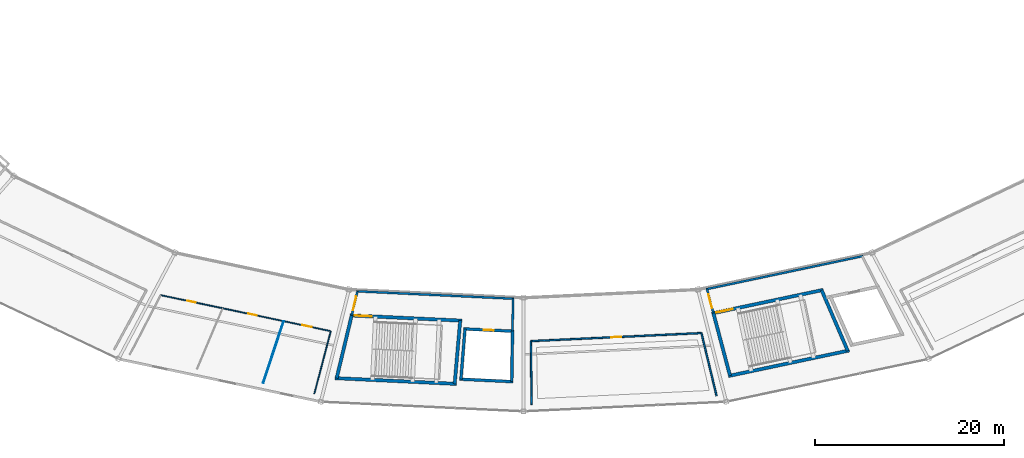
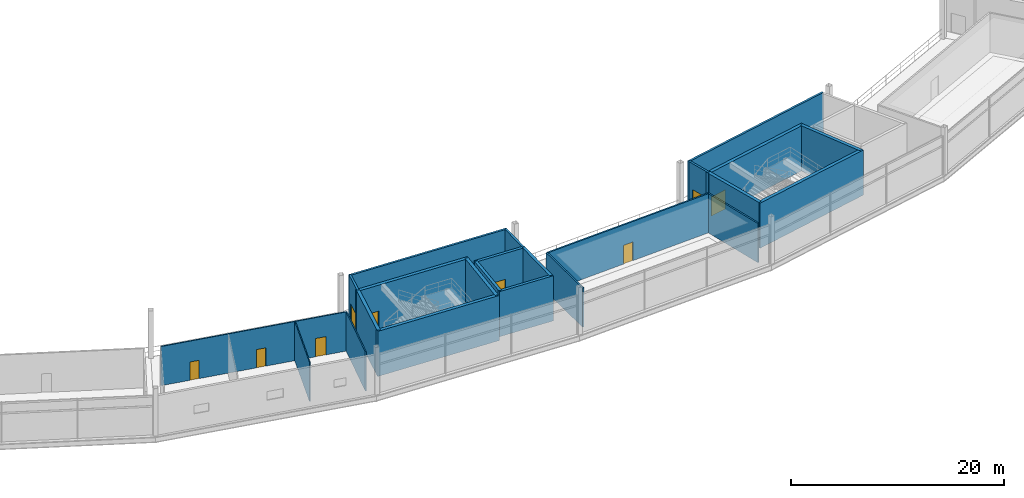
# One storey, part 73 of 103: 23 walls, 9 doors, 9 openings.
"""IFC4 building model written with IfcOpenShell, lengths in metres."""

from ifc_helpers import new_model, si_unit, direction, frame, frame_2d, origin, place, context, subcontext, project, spatial, rectangle, extrude, material, layer, layer_set, type_object, element, fill, save


model = new_model("IFC4")

# Units and contexts
model_context = context("Model", 3, precision=1e-05, world=origin(), true_north=direction((0.0, 1.0)))
body_context = subcontext(model_context, "Body", "Model", "MODEL_VIEW")
ifc_project = project(units=[si_unit("LENGTHUNIT", "METRE"), si_unit("AREAUNIT", "SQUARE_METRE"), si_unit("VOLUMEUNIT", "CUBIC_METRE"), si_unit("PLANEANGLEUNIT", "RADIAN"), si_unit("MASSUNIT", "GRAM", prefix="KILO")], contexts=[model_context])

# Site, building, storey
site_placement = place(None, origin())
site = spatial("IfcSite", under=ifc_project, at=site_placement, CompositionType="ELEMENT")
building_placement = place(site_placement, origin())
building = spatial("IfcBuilding", under=site, at=building_placement, Name="Kazemori Nagisa Stadium", CompositionType="ELEMENT")
storey_placement = place(building_placement, frame((0.0, 0.0, 25.840087890625)))
storey = spatial("IfcBuildingStorey", under=building, at=storey_placement, Name="L05", CompositionType="ELEMENT", Elevation=25.840087890625)

# Wall, opening, door
ifc_material_1 = material(Name="Concrete C40/50 (Fc42)", Category="concrete")
ifc_layer_1 = layer(ifc_material_1, 0.35009765625, Name="Concrete C40/50 (Fc42)", Category="concrete")
ifc_layer_set_1 = layer_set([ifc_layer_1], Name="Concrete C40/50 (Fc42)")
wall_type_1 = type_object("IfcWallType", Name="Wall_W-CORE-350", PredefinedType="SHEAR", material=ifc_layer_set_1)
wall_1_placement = place(storey_placement, frame((104.66748046875, 26.15478515625, 0.0), z_axis=(0.0, 0.0, 1.0), x_axis=(0.998883770468, -0.04723571843, 0.0)))
wall_1 = element("IfcWall", 1, at=wall_1_placement, inside=storey, type_object=wall_type_1, Name="Core stair front shear wall ST12 L05", PredefinedType="SHEAR", context=body_context, shape_type="SweptSolid", body=[
    extrude(rectangle(XDim=11.830810546875, YDim=0.35009765625, at=frame_2d((5.91552734375, 0.0))), origin(), (0.0, 0.0, 1.0), 5.179931640625),
])
opening_1_placement = place(wall_1_placement, frame((0.47509765625, 0.0, 0.0)))
opening_1 = element("IfcOpeningElement", 2, at=opening_1_placement, cuts=wall_1, Name="Opening D-ST-1800", PredefinedType="OPENING", context=body_context, shape_type="SweptSolid", body=[
    extrude(rectangle(XDim=1.800048828125, YDim=2.199951171875, at=frame_2d((0.89990234375, 1.10009765625))), frame((0.0, 0.18505859375, 0.0), z_axis=(0.0, -1.0, 0.0), x_axis=(1.0, 0.0, 0.0)), (0.0, 0.0, 1.0), 0.3701171875),
])
ifc_material_2 = material(Name="Galvanised steel sheet", Category="steel")
door_type_1 = type_object("IfcDoorType", Name="Door_D-ST-1800", OperationType="NOTDEFINED", PredefinedType="DOOR", material=ifc_material_2)
door_1_placement = place(opening_1_placement, frame((1.800048828125, 0.0, 0.0), z_axis=(0.0, 0.0, 1.0), x_axis=(-1.0, 0.0, 0.0)))
door_1 = element("IfcDoor", 3, at=door_1_placement, inside=storey, type_object=door_type_1, Name="Exit stair fire door ST12-L05", OperationType="SINGLE_SWING_RIGHT", OverallHeight=2.199951171875, OverallWidth=1.800048828125, PredefinedType="DOOR", context=body_context, shape_type="SweptSolid", body=[
    extrude(rectangle(XDim=1.800048828125, YDim=2.199951171875, at=frame_2d((0.89990234375, 1.10009765625))), frame((0.0, 0.02490234375, 0.0), z_axis=(0.0, -1.0, 0.0), x_axis=(1.0, 0.0, 0.0)), (0.0, 0.0, 1.0), 0.050048828125),
])
fill(opening_1, door_1)

# Walls
wall_2_placement = place(storey_placement, frame((103.07958984375, 19.52197265625, 0.0), z_axis=(0.0, 0.0, 1.0), x_axis=(0.998884004857, -0.047230761603, 0.0)))
element("IfcWall", 4, at=wall_2_placement, inside=storey, type_object=wall_type_1, Name="Core stair rear shear wall ST12 L05", PredefinedType="SHEAR", context=body_context, shape_type="SweptSolid", body=[
    extrude(rectangle(XDim=12.8349609375, YDim=0.35009765625, at=frame_2d((6.41748046875, 0.0))), origin(), (0.0, 0.0, 1.0), 5.179931640625),
])
wall_3_placement = place(storey_placement, frame((104.84228515625, 26.146484375, 0.0), z_axis=(0.0, 0.0, 1.0), x_axis=(-0.232820532896, -0.972519716747, 0.0)))
element("IfcWall", 5, at=wall_3_placement, inside=storey, type_object=wall_type_1, Name="Core stair left shear wall ST12 L05", PredefinedType="SHEAR", context=body_context, shape_type="SweptSolid", body=[
    extrude(rectangle(XDim=6.8203125, YDim=0.35009765625, at=frame_2d((3.41015625, 0.0))), origin(), (0.0, 0.0, 1.0), 5.179931640625),
])
wall_4_placement = place(storey_placement, frame((116.310302734375, 25.604248046875, 0.0), z_axis=(0.0, 0.0, 1.0), x_axis=(-0.087232889326, -0.996187945631, 0.0)))
element("IfcWall", 6, at=wall_4_placement, inside=storey, type_object=wall_type_1, Name="Core stair right shear wall ST12 L05", PredefinedType="SHEAR", context=body_context, shape_type="SweptSolid", body=[
    extrude(rectangle(XDim=6.705810546875, YDim=0.35009765625, at=frame_2d((3.35302734375, 0.0))), origin(), (0.0, 0.0, 1.0), 5.179931640625),
])

# Wall, opening, door
wall_5_placement = place(storey_placement, frame((142.895751953125, 26.357177734375, 0.0), z_axis=(0.0, 0.0, 1.0), x_axis=(0.978345203961, 0.206979858648, 0.0)))
wall_5 = element("IfcWall", 7, at=wall_5_placement, inside=storey, type_object=wall_type_1, Name="Core stair front shear wall ST06 L05", PredefinedType="SHEAR", context=body_context, shape_type="SweptSolid", body=[
    extrude(rectangle(XDim=12.044189453125, YDim=0.35009765625, at=frame_2d((6.02197265625, 0.0))), origin(), (0.0, 0.0, 1.0), 5.179931640625),
])
opening_2_placement = place(wall_5_placement, frame((0.47509765625, 0.0, 0.0)))
opening_2 = element("IfcOpeningElement", 8, at=opening_2_placement, cuts=wall_5, Name="Opening D-ST-1800", PredefinedType="OPENING", context=body_context, shape_type="SweptSolid", body=[
    extrude(rectangle(XDim=1.800048828125, YDim=2.199951171875, at=frame_2d((0.89990234375, 1.10009765625))), frame((0.0, 0.18505859375, 0.0), z_axis=(0.0, -1.0, 0.0), x_axis=(1.0, 0.0, 0.0)), (0.0, 0.0, 1.0), 0.3701171875),
])
door_2_placement = place(opening_2_placement, frame((1.800048828125, 0.0, 0.0), z_axis=(0.0, 0.0, 1.0), x_axis=(-1.0, 0.0, 0.0)))
door_2 = element("IfcDoor", 9, at=door_2_placement, inside=storey, type_object=door_type_1, Name="Exit stair fire door ST06-L05", OperationType="SINGLE_SWING_RIGHT", OverallHeight=2.199951171875, OverallWidth=1.800048828125, PredefinedType="DOOR", context=body_context, shape_type="SweptSolid", body=[
    extrude(rectangle(XDim=1.800048828125, YDim=2.199951171875, at=frame_2d((0.89990234375, 1.10009765625))), frame((0.0, 0.02490234375, 0.0), z_axis=(0.0, -1.0, 0.0), x_axis=(1.0, 0.0, 0.0)), (0.0, 0.0, 1.0), 0.050048828125),
])
fill(opening_2, door_2)

# Walls
wall_6_placement = place(storey_placement, frame((144.650390625, 19.745849609375, 0.0), z_axis=(0.0, 0.0, 1.0), x_axis=(0.978345119536, 0.206980257705, 0.0)))
element("IfcWall", 10, at=wall_6_placement, inside=storey, type_object=wall_type_1, Name="Core stair rear shear wall ST06 L05", PredefinedType="SHEAR", context=body_context, shape_type="SweptSolid", body=[
    extrude(rectangle(XDim=13.06689453125, YDim=0.35009765625, at=frame_2d((6.533447265625, 0.0))), origin(), (0.0, 0.0, 1.0), 5.179931640625),
])
wall_7_placement = place(storey_placement, frame((143.06689453125, 26.3935546875, 0.0), z_axis=(0.0, 0.0, 1.0), x_axis=(0.256518400663, -0.966539347425, 0.0)))
element("IfcWall", 11, at=wall_7_placement, inside=storey, type_object=wall_type_1, Name="Core stair left shear wall ST06 L05", PredefinedType="SHEAR", context=body_context, shape_type="SweptSolid", body=[
    extrude(rectangle(XDim=6.840087890625, YDim=0.35009765625, at=frame_2d((3.419921875, 0.0))), origin(), (0.0, 0.0, 1.0), 5.179931640625),
])
wall_8_placement = place(storey_placement, frame((154.5078125, 28.81396484375, 0.0), z_axis=(0.0, 0.0, 1.0), x_axis=(0.395453834155, -0.918485854574, 0.0)))
element("IfcWall", 12, at=wall_8_placement, inside=storey, type_object=wall_type_1, Name="Core stair right shear wall ST06 L05", PredefinedType="SHEAR", context=body_context, shape_type="SweptSolid", body=[
    extrude(rectangle(XDim=6.967529296875, YDim=0.35009765625, at=frame_2d((3.48388671875, 0.0))), origin(), (0.0, 0.0, 1.0), 5.179931640625),
])
ifc_material_3 = material(Name="Concrete C36/45 (Fc36)", Category="concrete")
ifc_layer_2 = layer(ifc_material_3, 0.219970703125, Name="Concrete C36/45 (Fc36)", Category="concrete")
ifc_layer_set_2 = layer_set([ifc_layer_2], Name="Concrete C36/45 (Fc36)")
wall_type_2 = type_object("IfcWallType", Name="Wall_W-LOBBY-220", PredefinedType="SOLIDWALL", material=ifc_layer_set_2)
wall_9_placement = place(storey_placement, frame((105.343017578125, 28.702880859375, 0.0), z_axis=(0.0, 0.0, 1.0), x_axis=(0.998884242682, -0.047225731555, 0.0)))
element("IfcWall", 13, at=wall_9_placement, inside=storey, type_object=wall_type_2, Name="Core lobby fire wall ST12 L05", PredefinedType="SOLIDWALL", context=body_context, shape_type="SweptSolid", body=[
    extrude(rectangle(XDim=16.67724609375, YDim=0.219970703125, at=frame_2d((8.338623046875, 0.0))), origin(), (0.0, 0.0, 1.0), 5.179931640625),
])

# Wall, opening, door
wall_10_placement = place(storey_placement, frame((105.452880859375, 28.69775390625, 0.0), z_axis=(0.0, 0.0, 1.0), x_axis=(-0.232756927197, -0.972534941707, 0.0)))
wall_10 = element("IfcWall", 14, at=wall_10_placement, inside=storey, type_object=wall_type_2, Name="Core lobby left wall ST12 L05", PredefinedType="SOLIDWALL", context=body_context, shape_type="SweptSolid", body=[
    extrude(rectangle(XDim=2.623291015625, YDim=0.219970703125, at=frame_2d((1.3115234375, 0.0))), origin(), (0.0, 0.0, 1.0), 5.179931640625),
])
opening_3_placement = place(wall_10_placement, frame((0.56201171875, 0.0, 0.0)))
opening_3 = element("IfcOpeningElement", 15, at=opening_3_placement, cuts=wall_10, Name="Opening D-FFL-1500", PredefinedType="OPENING", context=body_context, shape_type="SweptSolid", body=[
    extrude(rectangle(XDim=1.5, YDim=2.199951171875, at=frame_2d((0.75, 1.10009765625))), frame((0.0, 0.119873046875, 0.0), z_axis=(0.0, -1.0, 0.0), x_axis=(1.0, 0.0, 0.0)), (0.0, 0.0, 1.0), 0.239990234375),
])
door_type_2 = type_object("IfcDoorType", Name="Door_D-FFL-1500", OperationType="NOTDEFINED", PredefinedType="DOOR", material=ifc_material_2)
door_3_placement = place(opening_3_placement, frame((1.5, 0.0, 0.0), z_axis=(0.0, 0.0, 1.0), x_axis=(-1.0, 0.0, 0.0)))
door_3 = element("IfcDoor", 16, at=door_3_placement, inside=storey, type_object=door_type_2, Name="Protected lobby fire door ST12-L05", OperationType="DOUBLE_DOOR_SINGLE_SWING", OverallHeight=2.199951171875, OverallWidth=1.5, PredefinedType="DOOR", context=body_context, shape_type="SweptSolid", body=[
    extrude(rectangle(XDim=1.5, YDim=2.199951171875, at=frame_2d((0.75, 1.10009765625))), frame((0.0, 0.02490234375, 0.0), z_axis=(0.0, -1.0, 0.0), x_axis=(1.0, 0.0, 0.0)), (0.0, 0.0, 1.0), 0.050048828125),
])
fill(opening_3, door_3)

# Walls
wall_11_placement = place(storey_placement, frame((121.891845703125, 27.92041015625, 0.0), z_axis=(0.0, 0.0, 1.0), x_axis=(-0.014984113027, -0.999887731876, 0.0)))
element("IfcWall", 17, at=wall_11_placement, inside=storey, type_object=wall_type_2, Name="Core lobby right wall ST12 L05", PredefinedType="SOLIDWALL", context=body_context, shape_type="SweptSolid", body=[
    extrude(rectangle(XDim=3.43798828125, YDim=0.219970703125, at=frame_2d((1.718994140625, 0.0))), origin(), (0.0, 0.0, 1.0), 5.179931640625),
])
wall_12_placement = place(storey_placement, frame((142.284423828125, 28.91357421875, 0.0), z_axis=(0.0, 0.0, 1.0), x_axis=(0.97834522483, 0.206979760008, 0.0)))
element("IfcWall", 18, at=wall_12_placement, inside=storey, type_object=wall_type_2, Name="Core lobby fire wall ST06 L05", PredefinedType="SOLIDWALL", context=body_context, shape_type="SweptSolid", body=[
    extrude(rectangle(XDim=16.98291015625, YDim=0.219970703125, at=frame_2d((8.491455078125, 0.0))), origin(), (0.0, 0.0, 1.0), 5.179931640625),
])

# Wall, opening, door
wall_13_placement = place(storey_placement, frame((142.39208984375, 28.936279296875, 0.0), z_axis=(0.0, 0.0, 1.0), x_axis=(0.256507243456, -0.966542308466, 0.0)))
wall_13 = element("IfcWall", 19, at=wall_13_placement, inside=storey, type_object=wall_type_2, Name="Core lobby left wall ST06 L05", PredefinedType="SOLIDWALL", context=body_context, shape_type="SweptSolid", body=[
    extrude(rectangle(XDim=2.630859375, YDim=0.219970703125, at=frame_2d((1.3154296875, 0.0))), origin(), (0.0, 0.0, 1.0), 5.179931640625),
])
opening_4_placement = place(wall_13_placement, frame((0.56494140625, 0.0, 0.0)))
opening_4 = element("IfcOpeningElement", 20, at=opening_4_placement, cuts=wall_13, Name="Opening D-FFL-1500", PredefinedType="OPENING", context=body_context, shape_type="SweptSolid", body=[
    extrude(rectangle(XDim=1.5, YDim=2.199951171875, at=frame_2d((0.75, 1.10009765625))), frame((0.0, 0.119873046875, 0.0), z_axis=(0.0, -1.0, 0.0), x_axis=(1.0, 0.0, 0.0)), (0.0, 0.0, 1.0), 0.239990234375),
])
door_4_placement = place(opening_4_placement, frame((1.5, 0.0, 0.0), z_axis=(0.0, 0.0, 1.0), x_axis=(-1.0, 0.0, 0.0)))
door_4 = element("IfcDoor", 21, at=door_4_placement, inside=storey, type_object=door_type_2, Name="Protected lobby fire door ST06-L05", OperationType="DOUBLE_DOOR_SINGLE_SWING", OverallHeight=2.199951171875, OverallWidth=1.5, PredefinedType="DOOR", context=body_context, shape_type="SweptSolid", body=[
    extrude(rectangle(XDim=1.5, YDim=2.199951171875, at=frame_2d((0.75, 1.10009765625))), frame((0.0, 0.02490234375, 0.0), z_axis=(0.0, -1.0, 0.0), x_axis=(1.0, 0.0, 0.0)), (0.0, 0.0, 1.0), 0.050048828125),
])
fill(opening_4, door_4)

# Wall
ifc_material_4 = material(Name="High-pressure phenolic compact laminate", Category="gypsum")
ifc_layer_3 = layer(ifc_material_4, 0.10009765625, Name="High-pressure phenolic compact laminate", Category="gypsum")
ifc_layer_set_3 = layer_set([ifc_layer_3], Name="High-pressure phenolic compact laminate")
wall_type_3 = type_object("IfcWallType", Name="Wall_W-PART-100", PredefinedType="PARTITIONING", material=ifc_layer_set_3)
wall_14_placement = place(storey_placement, frame((97.654296875, 25.540771484375, 0.0), z_axis=(0.0, 0.0, 1.0), x_axis=(-0.314639740382, -0.949211163953, 0.0)))
element("IfcWall", 22, at=wall_14_placement, inside=storey, type_object=wall_type_3, Name="Sanitary divider partition L05-B20-2", PredefinedType="PARTITIONING", context=body_context, shape_type="SweptSolid", body=[
    extrude(rectangle(XDim=6.8740234375, YDim=0.10009765625, at=frame_2d((3.43701171875, 0.0))), origin(), (0.0, 0.0, 1.0), 4.5),
])

# Wall, openings, doors
ifc_material_5 = material(Name="Moisture-resistant gypsum board", Category="gypsum")
ifc_layer_4 = layer(ifc_material_5, 0.114990234375, Name="Moisture-resistant gypsum board", Category="gypsum")
ifc_layer_set_4 = layer_set([ifc_layer_4], Name="Moisture-resistant gypsum board")
wall_type_4 = type_object("IfcWallType", Name="Wall_W-PART-115", PredefinedType="PARTITIONING", material=ifc_layer_set_4)
wall_15_placement = place(storey_placement, frame((84.657958984375, 28.290283203125, 0.0), z_axis=(0.0, 0.0, 1.0), x_axis=(0.978344735835, -0.20698207136, 0.0)))
wall_15 = element("IfcWall", 23, at=wall_15_placement, inside=storey, type_object=wall_type_4, Name="Sanitary block corridor partition L05-B20", PredefinedType="PARTITIONING", context=body_context, shape_type="SweptSolid", body=[
    extrude(rectangle(XDim=18.37353515625, YDim=0.114990234375, at=frame_2d((9.186767578125, 0.0))), origin(), (0.0, 0.0, 1.0), 4.5),
])
opening_5_placement = place(wall_15_placement, frame((2.85693359375, 0.0, 0.0)))
opening_5 = element("IfcOpeningElement", 24, at=opening_5_placement, cuts=wall_15, Name="Opening D-WC-900", PredefinedType="OPENING", context=body_context, shape_type="SweptSolid", body=[
    extrude(rectangle(XDim=0.89990234375, YDim=2.10009765625, at=frame_2d((0.449951171875, 1.050048828125))), frame((0.0, 0.0673828125, 0.0), z_axis=(0.0, -1.0, 0.0), x_axis=(1.0, 0.0, 0.0)), (0.0, 0.0, 1.0), 0.135009765625),
])
opening_6_placement = place(wall_15_placement, frame((9.471923828125, 0.0, 0.0)))
opening_6 = element("IfcOpeningElement", 25, at=opening_6_placement, cuts=wall_15, Name="Opening D-WC-900", PredefinedType="OPENING", context=body_context, shape_type="SweptSolid", body=[
    extrude(rectangle(XDim=0.89990234375, YDim=2.10009765625, at=frame_2d((0.449951171875, 1.050048828125))), frame((0.0, 0.0673828125, 0.0), z_axis=(0.0, -1.0, 0.0), x_axis=(1.0, 0.0, 0.0)), (0.0, 0.0, 1.0), 0.135009765625),
])
opening_7_placement = place(wall_15_placement, frame((15.27587890625, 0.0, 0.0)))
opening_7 = element("IfcOpeningElement", 26, at=opening_7_placement, cuts=wall_15, Name="Opening D-AWC-1050", PredefinedType="OPENING", context=body_context, shape_type="SweptSolid", body=[
    extrude(rectangle(XDim=1.050048828125, YDim=2.10009765625, at=frame_2d((0.52490234375, 1.050048828125))), frame((0.0, 0.0673828125, 0.0), z_axis=(0.0, -1.0, 0.0), x_axis=(1.0, 0.0, 0.0)), (0.0, 0.0, 1.0), 0.135009765625),
])
ifc_material_6 = material(Name="High-pressure laminate on timber core", Category="wood")
door_type_3 = type_object("IfcDoorType", Name="Door_D-AWC-1050", OperationType="NOTDEFINED", PredefinedType="DOOR", material=ifc_material_6)
door_5_placement = place(opening_7_placement, origin())
door_5 = element("IfcDoor", 27, at=door_5_placement, inside=storey, type_object=door_type_3, Name="AWC entrance door L05-B20", OperationType="SINGLE_SWING_RIGHT", OverallHeight=2.10009765625, OverallWidth=1.050048828125, PredefinedType="DOOR", context=body_context, shape_type="SweptSolid", body=[
    extrude(rectangle(XDim=1.050048828125, YDim=2.10009765625, at=frame_2d((0.52490234375, 1.050048828125))), frame((0.0, 0.02490234375, 0.0), z_axis=(0.0, -1.0, 0.0), x_axis=(1.0, 0.0, 0.0)), (0.0, 0.0, 1.0), 0.050048828125),
])
fill(opening_7, door_5)
door_type_4 = type_object("IfcDoorType", Name="Door_D-WC-900", OperationType="NOTDEFINED", PredefinedType="DOOR", material=ifc_material_6)
door_6_placement = place(opening_5_placement, origin())
door_6 = element("IfcDoor", 28, at=door_6_placement, inside=storey, type_object=door_type_4, Name="MWC entrance door L05-B20", OperationType="SINGLE_SWING_RIGHT", OverallHeight=2.10009765625, OverallWidth=0.89990234375, PredefinedType="DOOR", context=body_context, shape_type="SweptSolid", body=[
    extrude(rectangle(XDim=0.89990234375, YDim=2.10009765625, at=frame_2d((0.449951171875, 1.050048828125))), frame((0.0, 0.02490234375, 0.0), z_axis=(0.0, -1.0, 0.0), x_axis=(1.0, 0.0, 0.0)), (0.0, 0.0, 1.0), 0.050048828125),
])
fill(opening_5, door_6)
door_7_placement = place(opening_6_placement, origin())
door_7 = element("IfcDoor", 29, at=door_7_placement, inside=storey, type_object=door_type_4, Name="FWC entrance door L05-B20", OperationType="SINGLE_SWING_LEFT", OverallHeight=2.10009765625, OverallWidth=0.89990234375, PredefinedType="DOOR", context=body_context, shape_type="SweptSolid", body=[
    extrude(rectangle(XDim=0.89990234375, YDim=2.10009765625, at=frame_2d((0.449951171875, 1.050048828125))), frame((0.0, 0.02490234375, 0.0), z_axis=(0.0, -1.0, 0.0), x_axis=(1.0, 0.0, 0.0)), (0.0, 0.0, 1.0), 0.050048828125),
])
fill(opening_6, door_7)

# Wall
wall_16_placement = place(storey_placement, frame((102.633544921875, 24.4873046875, 0.0), z_axis=(0.0, 0.0, 1.0), x_axis=(-0.254126047026, -0.967171108038, 0.0)))
element("IfcWall", 30, at=wall_16_placement, inside=storey, type_object=wall_type_4, Name="Sanitary block R partition L05-B20", PredefinedType="PARTITIONING", context=body_context, shape_type="SweptSolid", body=[
    extrude(rectangle(XDim=6.83935546875, YDim=0.114990234375, at=frame_2d((3.419677734375, 0.0))), origin(), (0.0, 0.0, 1.0), 4.5),
])

# Wall, opening, door
ifc_material_7 = material(Name="Gypsum plasterboard", Category="gypsum")
ifc_layer_5 = layer(ifc_material_7, 0.1650390625, Name="Gypsum plasterboard", Category="gypsum")
ifc_layer_set_5 = layer_set([ifc_layer_5], Name="Gypsum plasterboard")
wall_type_5 = type_object("IfcWallType", Name="Wall_W-PART-165", PredefinedType="PARTITIONING", material=ifc_layer_set_5)
wall_17_placement = place(storey_placement, frame((123.783447265625, 23.43310546875, 0.0), z_axis=(0.0, 0.0, 1.0), x_axis=(0.998884400119, 0.047222401453, 0.0)))
wall_17 = element("IfcWall", 31, at=wall_17_placement, inside=storey, type_object=wall_type_5, Name="Room corridor partition L05-B22", PredefinedType="PARTITIONING", context=body_context, shape_type="SweptSolid", body=[
    extrude(rectangle(XDim=18.0380859375, YDim=0.1650390625, at=frame_2d((9.01904296875, 0.0))), origin(), (0.0, 0.0, 1.0), 4.5),
])
opening_8_placement = place(wall_17_placement, frame((8.4990234375, 0.0, 0.0)))
opening_8 = element("IfcOpeningElement", 32, at=opening_8_placement, cuts=wall_17, Name="Opening D-OPS-1040", PredefinedType="OPENING", context=body_context, shape_type="SweptSolid", body=[
    extrude(rectangle(XDim=1.0400390625, YDim=2.14990234375, at=frame_2d((0.52001953125, 1.074951171875))), frame((0.0, 0.092529296875, 0.0), z_axis=(0.0, -1.0, 0.0), x_axis=(1.0, 0.0, 0.0)), (0.0, 0.0, 1.0), 0.18505859375),
])
ifc_material_8 = material(Name="Oak timber veneer", Category="wood")
door_type_5 = type_object("IfcDoorType", Name="Door_D-OPS-1040", OperationType="NOTDEFINED", PredefinedType="DOOR", material=ifc_material_8)
door_8_placement = place(opening_8_placement, origin())
door_8 = element("IfcDoor", 33, at=door_8_placement, inside=storey, type_object=door_type_5, Name="Room entrance door D-OPS-1040 L05-B22", OperationType="SINGLE_SWING_LEFT", OverallHeight=2.14990234375, OverallWidth=1.0400390625, PredefinedType="DOOR", context=body_context, shape_type="SweptSolid", body=[
    extrude(rectangle(XDim=1.0400390625, YDim=2.14990234375, at=frame_2d((0.52001953125, 1.074951171875))), frame((0.0, 0.02490234375, 0.0), z_axis=(0.0, -1.0, 0.0), x_axis=(1.0, 0.0, 0.0)), (0.0, 0.0, 1.0), 0.050048828125),
])
fill(opening_8, door_8)

# Walls
wall_18_placement = place(storey_placement, frame((123.783447265625, 23.43310546875, 0.0), z_axis=(0.0, 0.0, 1.0), x_axis=(0.009976563515, -0.999950232852, 0.0)))
element("IfcWall", 34, at=wall_18_placement, inside=storey, type_object=wall_type_5, Name="Room radial partition L05-B22-L", PredefinedType="PARTITIONING", context=body_context, shape_type="SweptSolid", body=[
    extrude(rectangle(XDim=6.705078125, YDim=0.1650390625, at=frame_2d((3.3525390625, 0.0))), origin(), (0.0, 0.0, 1.0), 4.5),
])
wall_19_placement = place(storey_placement, frame((141.801513671875, 24.284912109375, 0.0), z_axis=(0.0, 0.0, 1.0), x_axis=(0.235145319277, -0.971960224918, 0.0)))
element("IfcWall", 35, at=wall_19_placement, inside=storey, type_object=wall_type_5, Name="Room radial partition L05-B22-R", PredefinedType="PARTITIONING", context=body_context, shape_type="SweptSolid", body=[
    extrude(rectangle(XDim=6.823486328125, YDim=0.1650390625, at=frame_2d((3.41162109375, 0.0))), origin(), (0.0, 0.0, 1.0), 4.5),
])

# Wall, opening, door
ifc_layer_6 = layer(ifc_material_1, 0.300048828125, Name="Concrete C40/50 (Fc42)", Category="concrete")
ifc_layer_set_6 = layer_set([ifc_layer_6], Name="Concrete C40/50 (Fc42)")
wall_type_6 = type_object("IfcWallType", Name="Wall_W-SHAFT-300", PredefinedType="SHEAR", material=ifc_layer_set_6)
wall_20_placement = place(storey_placement, frame((116.665283203125, 24.7275390625, 0.0), z_axis=(0.0, 0.0, 1.0), x_axis=(0.998882494219, -0.047262699282, 0.0)))
wall_20 = element("IfcWall", 36, at=wall_20_placement, inside=storey, type_object=wall_type_6, Name="Lift shaft front wall LP4 L05", PredefinedType="SHEAR", context=body_context, shape_type="SweptSolid", body=[
    extrude(rectangle(XDim=5.330810546875, YDim=0.300048828125, at=frame_2d((2.66552734375, 0.0))), origin(), (0.0, 0.0, 1.0), 5.179931640625),
])
opening_9_placement = place(wall_20_placement, frame((2.114990234375, 0.0, 0.0)))
opening_9 = element("IfcOpeningElement", 37, at=opening_9_placement, cuts=wall_20, Name="Opening LD-PAX", PredefinedType="OPENING", context=body_context, shape_type="SweptSolid", body=[
    extrude(rectangle(XDim=1.10009765625, YDim=2.199951171875, at=frame_2d((0.550048828125, 1.10009765625))), frame((0.0, 0.159912109375, 0.0), z_axis=(0.0, -1.0, 0.0), x_axis=(1.0, 0.0, 0.0)), (0.0, 0.0, 1.0), 0.320068359375),
])
ifc_material_9 = material(Name="Stainless steel SUS304", Category="steel")
door_type_6 = type_object("IfcDoorType", Name="Door_LD-PAX", OperationType="SLIDING_TO_RIGHT", PredefinedType="DOOR", material=ifc_material_9)
door_9_placement = place(opening_9_placement, origin())
door_9 = element("IfcDoor", 38, at=door_9_placement, inside=storey, type_object=door_type_6, Name="Lift landing door LP4-L05", OperationType="SLIDING_TO_RIGHT", OverallHeight=2.199951171875, OverallWidth=1.10009765625, PredefinedType="DOOR", context=body_context, shape_type="SweptSolid", body=[
    extrude(rectangle(XDim=1.10009765625, YDim=2.199951171875, at=frame_2d((0.550048828125, 1.10009765625))), frame((0.0, 0.02490234375, 0.0), z_axis=(0.0, -1.0, 0.0), x_axis=(1.0, 0.0, 0.0)), (0.0, 0.0, 1.0), 0.050048828125),
])
fill(opening_9, door_9)

# Walls
wall_21_placement = place(storey_placement, frame((116.240234375, 19.41552734375, 0.0), z_axis=(0.0, 0.0, 1.0), x_axis=(0.998884329444, -0.047223896393, 0.0)))
element("IfcWall", 39, at=wall_21_placement, inside=storey, type_object=wall_type_6, Name="Lift shaft B wall LP4 L05", PredefinedType="SHEAR", context=body_context, shape_type="SweptSolid", body=[
    extrude(rectangle(XDim=5.676513671875, YDim=0.300048828125, at=frame_2d((2.83837890625, 0.0))), origin(), (0.0, 0.0, 1.0), 5.179931640625),
])
wall_22_placement = place(storey_placement, frame((116.815185546875, 24.720458984375, 0.0), z_axis=(0.0, 0.0, 1.0), x_axis=(-0.079807132276, -0.996810323802, 0.0)))
element("IfcWall", 40, at=wall_22_placement, inside=storey, type_object=wall_type_6, Name="Lift shaft L wall LP4 L05", PredefinedType="SHEAR", context=body_context, shape_type="SweptSolid", body=[
    extrude(rectangle(XDim=5.3291015625, YDim=0.300048828125, at=frame_2d((2.66455078125, 0.0))), origin(), (0.0, 0.0, 1.0), 5.179931640625),
])
wall_23_placement = place(storey_placement, frame((121.84033203125, 24.48291015625, 0.0), z_axis=(0.0, 0.0, 1.0), x_axis=(-0.014935332807, -0.999888461697, 0.0)))
element("IfcWall", 41, at=wall_23_placement, inside=storey, type_object=wall_type_6, Name="Lift shaft R wall LP4 L05", PredefinedType="SHEAR", context=body_context, shape_type="SweptSolid", body=[
    extrude(rectangle(XDim=5.328857421875, YDim=0.300048828125, at=frame_2d((2.66455078125, 0.0))), origin(), (0.0, 0.0, 1.0), 5.179931640625),
])

save(model, "model.ifc")
